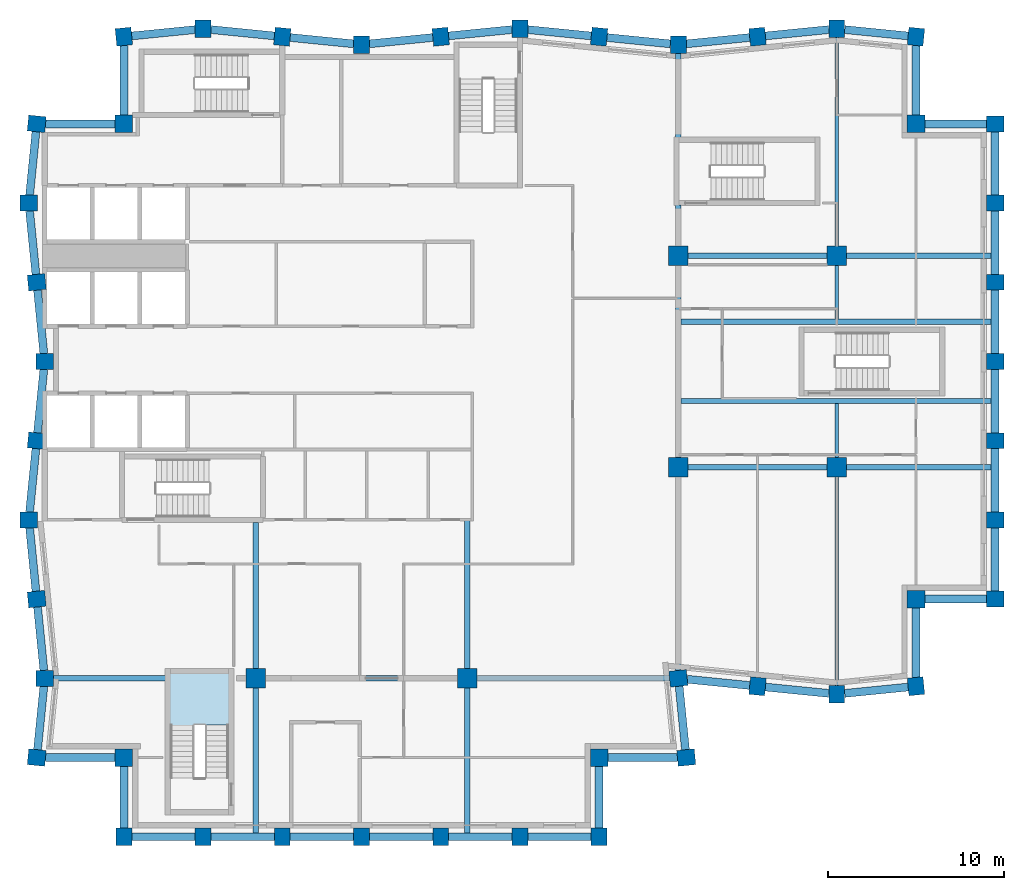
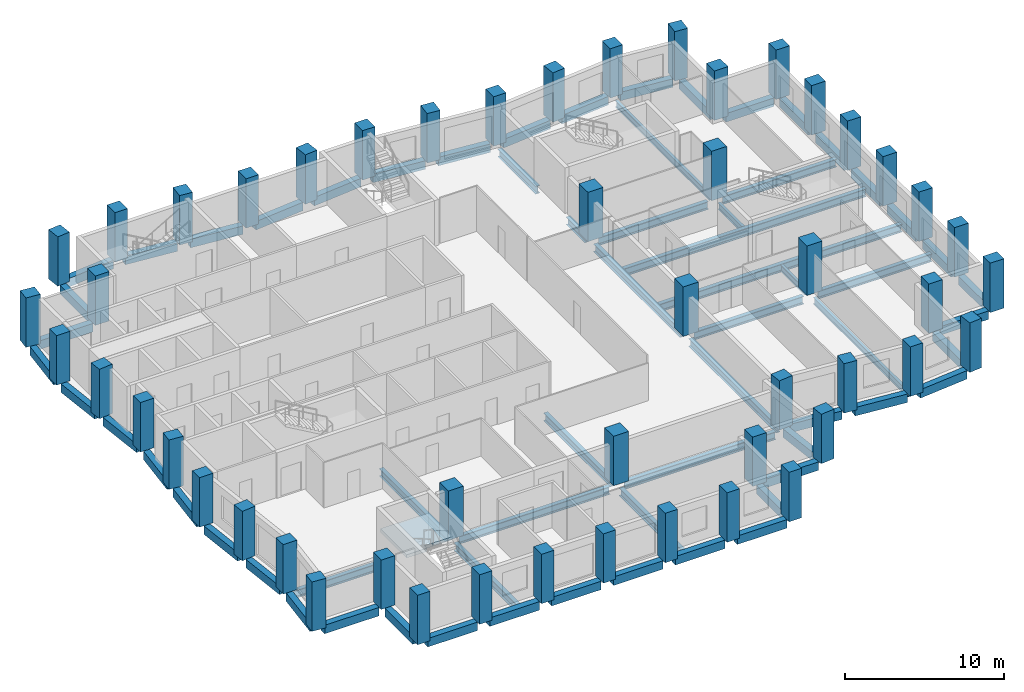
# One storey, part 1 of 8: 65 beams, 50 columns, 1 slab, 1 element without a shape of its own.
"""IFC4 building model written with IfcOpenShell, lengths in metres."""

from ifc_helpers import new_model, si_unit, direction, frame, origin, origin_2d, place, context, subcontext, project, spatial, polyline, rectangle, i_section, outline, extrude, material, layer, layer_set, material_profile, profile_set, type_object, element, aggregate, save


model = new_model("IFC4")

# Units and contexts
model_context = context("Model", 3, precision=1e-05, world=origin(), true_north=direction((0.0, 1.0)))
body_context = subcontext(model_context, "Body", "Model", "MODEL_VIEW")
ifc_project = project(units=[si_unit("LENGTHUNIT", "METRE"), si_unit("AREAUNIT", "SQUARE_METRE"), si_unit("VOLUMEUNIT", "CUBIC_METRE"), si_unit("PLANEANGLEUNIT", "RADIAN"), si_unit("MASSUNIT", "GRAM", prefix="KILO")], contexts=[model_context])

# Site, building, storey
site_placement = place(None, origin())
site = spatial("IfcSite", under=ifc_project, at=site_placement, CompositionType="ELEMENT")
building_placement = place(site_placement, origin())
building = spatial("IfcBuilding", under=site, at=building_placement, Name="Brondeck Convention Tower", CompositionType="ELEMENT")
storey_placement = place(building_placement, frame((0.0, 0.0, 225.39990234375)))
storey = spatial("IfcBuildingStorey", under=building, at=storey_placement, Name="L55", CompositionType="ELEMENT", Elevation=225.39990234375)

# Columns
ifc_material_1 = material(Name="Concrete C50/60", Category="concrete")
ifc_material_profile_1 = material_profile(ifc_material_1, rectangle(XDim=1.0, YDim=1.0, at=origin_2d()), Name="Corner column 1000x1000 Concrete C50/60")
ifc_profile_set_1 = profile_set([ifc_material_profile_1], Name="Concrete C50/60")
column_type_1 = type_object("IfcColumnType", Name="Corner column 1000x1000 Concrete C50/60", PredefinedType="COLUMN", material=ifc_profile_set_1)
for number, where, z_axis, x_axis, name in (
    (1, (4.5, 22.5, 0.0), (0.0, 0.0, 1.0), (1.0, 0.0, 0.0), "STR-COL-L55-NC-SWB18"),
    (2, (31.5, 22.5, 0.0), (0.0, 0.0, 1.0), (1.0, 0.0, 0.0), "STR-COL-L55-NC-SEB18"),
    (3, (49.5, 31.5, 0.0), (0.0, 0.0, 1.0), (1.0, 0.0, 0.0), "STR-COL-L55-NC-SEA54"),
    (4, (49.5, 58.5, 0.0), (0.0, 0.0, 1.0), (1.0, 0.0, 0.0), "STR-COL-L55-NC-NEA54"),
    (5, (4.5, 58.5, 0.0), (0.0, 0.0, 1.0), (1.0, 0.0, 0.0), "STR-COL-L55-NC-NW"),
):
    element("IfcColumn", number, at=place(storey_placement, frame(where, z_axis=z_axis, x_axis=x_axis)), inside=storey, type_object=column_type_1, Name=name, PredefinedType="COLUMN", context=body_context, shape_type="SweptSolid", body=[
        extrude(rectangle(XDim=1.0, YDim=1.0, at=origin_2d()), origin(), (0.0, 0.0, 1.0), 3.800048828125),
    ])
ifc_material_profile_2 = material_profile(ifc_material_1, rectangle(XDim=1.10009765625, YDim=1.10009765625, at=origin_2d()), Name="Interior column 1100x1100 Concrete C50/60")
ifc_profile_set_2 = profile_set([ifc_material_profile_2], Name="Concrete C50/60")
column_type_2 = type_object("IfcColumnType", Name="Interior column 1100x1100 Concrete C50/60", PredefinedType="COLUMN", material=ifc_profile_set_2)
for number, where, z_axis, x_axis, name in (
    (6, (12.0, 27.0, 0.0), (0.0, 0.0, 1.0), (1.0, 0.0, 0.0), "STR-COL-L55-IC-03"),
    (7, (24.0, 27.0, 0.0), (0.0, 0.0, 1.0), (1.0, 0.0, 0.0), "STR-COL-L55-IC-06"),
    (8, (36.0, 39.0, 0.0), (0.0, 0.0, 1.0), (1.0, 0.0, 0.0), "STR-COL-L55-IC-07"),
    (9, (36.0, 51.0, 0.0), (0.0, 0.0, 1.0), (1.0, 0.0, 0.0), "STR-COL-L55-IC-08"),
    (10, (45.0, 39.0, 0.0), (0.0, 0.0, 1.0), (1.0, 0.0, 0.0), "STR-COL-L55-IC-09"),
    (11, (45.0, 51.0, 0.0), (0.0, 0.0, 1.0), (1.0, 0.0, 0.0), "STR-COL-L55-IC-10"),
):
    element("IfcColumn", number, at=place(storey_placement, frame(where, z_axis=z_axis, x_axis=x_axis)), inside=storey, type_object=column_type_2, Name=name, PredefinedType="COLUMN", context=body_context, shape_type="SweptSolid", body=[
        extrude(rectangle(XDim=1.10009765625, YDim=1.10009765625, at=origin_2d()), origin(), (0.0, 0.0, 1.0), 3.800048828125),
    ])
ifc_material_profile_3 = material_profile(ifc_material_1, rectangle(XDim=0.89990234375, YDim=1.0, at=origin_2d()), Name="Perimeter pier 900x1000 Concrete C50/60")
ifc_profile_set_3 = profile_set([ifc_material_profile_3], Name="Concrete C50/60")
column_type_3 = type_object("IfcColumnType", Name="Perimeter pier 900x1000 Concrete C50/60", PredefinedType="COLUMN", material=ifc_profile_set_3)
for number, where, z_axis, x_axis, name in (
    (12, (4.5, 18.0, 0.0), (0.0, 0.0, 1.0), (1.0, 0.0, 0.0), "STR-COL-L55-PC-B-S18-01"),
    (13, (9.0, 18.0, 0.0), (0.0, 0.0, 1.0), (1.0, 0.0, 0.0), "STR-COL-L55-PC-B-S18-02"),
    (14, (13.5, 18.0, 0.0), (0.0, 0.0, 1.0), (1.0, 0.0, 0.0), "STR-COL-L55-PC-B-S18-03"),
    (15, (18.0, 18.0, 0.0), (0.0, 0.0, 1.0), (1.0, 0.0, 0.0), "STR-COL-L55-PC-B-S18-04"),
    (16, (22.5, 18.0, 0.0), (0.0, 0.0, 1.0), (1.0, 0.0, 0.0), "STR-COL-L55-PC-B-S18-05"),
    (17, (27.0, 18.0, 0.0), (0.0, 0.0, 1.0), (1.0, 0.0, 0.0), "STR-COL-L55-PC-B-S18-06"),
    (18, (31.5, 18.0, 0.0), (0.0, 0.0, 1.0), (1.0, 0.0, 0.0), "STR-COL-L55-PC-B-S18-07"),
    (19, (36.449951171875, 22.5, 0.0), (0.0, 0.0, 1.0), (-0.0995038382, 0.995037178292, 0.0), "STR-COL-L55-PC-B-E-01"),
    (20, (36.0, 27.0, 0.0), (0.0, 0.0, 1.0), (-0.0995038382, 0.995037178292, 0.0), "STR-COL-L55-PC-B-E-00"),
    (21, (40.5, 26.550048828125, 0.0), (0.0, 0.0, 1.0), (0.995037178292, -0.0995038382, 0.0), "STR-COL-L55-PC-A-S-01"),
    (22, (45.0, 26.10009765625, 0.0), (0.0, 0.0, 1.0), (1.0, 0.0, 0.0), "STR-COL-L55-PC-A-S-02"),
    (23, (49.5, 26.550048828125, 0.0), (0.0, 0.0, 1.0), (0.995037178292, 0.0995038382, 0.0), "STR-COL-L55-PC-A-S-03"),
    (24, (54.0, 31.5, 0.0), (0.0, 0.0, 1.0), (0.0, 1.0, 0.0), "STR-COL-L55-PC-A-E54-01"),
    (25, (54.0, 36.0, 0.0), (0.0, 0.0, 1.0), (0.0, 1.0, 0.0), "STR-COL-L55-PC-A-E54-02"),
    (26, (54.0, 40.5, 0.0), (0.0, 0.0, 1.0), (0.0, 1.0, 0.0), "STR-COL-L55-PC-A-E54-03"),
    (27, (54.0, 45.0, 0.0), (0.0, 0.0, 1.0), (0.0, 1.0, 0.0), "STR-COL-L55-PC-A-E54-04"),
    (28, (54.0, 49.5, 0.0), (0.0, 0.0, 1.0), (0.0, 1.0, 0.0), "STR-COL-L55-PC-A-E54-05"),
    (29, (54.0, 54.0, 0.0), (0.0, 0.0, 1.0), (0.0, 1.0, 0.0), "STR-COL-L55-PC-A-E54-06"),
    (30, (54.0, 58.5, 0.0), (0.0, 0.0, 1.0), (0.0, 1.0, 0.0), "STR-COL-L55-PC-A-E54-07"),
    (31, (49.5, 63.449951171875, 0.0), (0.0, 0.0, 1.0), (-0.995037178292, 0.0995038382, 0.0), "STR-COL-L55-PC-A-N-11"),
    (32, (45.0, 63.89990234375, 0.0), (0.0, 0.0, 1.0), (-1.0, 0.0, 0.0), "STR-COL-L55-PC-A-N-10"),
    (33, (40.5, 63.449951171875, 0.0), (0.0, 0.0, 1.0), (-0.995037178292, -0.0995038382, 0.0), "STR-COL-L55-PC-A-N-09"),
    (34, (36.0, 63.0, 0.0), (0.0, 0.0, 1.0), (-1.0, 0.0, 0.0), "STR-COL-L55-PC-A-N-08"),
    (35, (31.5, 63.449951171875, 0.0), (0.0, 0.0, 1.0), (-0.995037178292, 0.0995038382, 0.0), "STR-COL-L55-PC-A-N-07"),
    (36, (27.0, 63.89990234375, 0.0), (0.0, 0.0, 1.0), (-1.0, 0.0, 0.0), "STR-COL-L55-PC-A-N-06"),
    (37, (22.5, 63.449951171875, 0.0), (0.0, 0.0, 1.0), (-0.995037178292, -0.0995038382, 0.0), "STR-COL-L55-PC-A-N-05"),
    (38, (18.0, 63.0, 0.0), (0.0, 0.0, 1.0), (-1.0, 0.0, 0.0), "STR-COL-L55-PC-A-N-04"),
    (39, (13.5, 63.449951171875, 0.0), (0.0, 0.0, 1.0), (-0.995037178292, 0.0995038382, 0.0), "STR-COL-L55-PC-A-N-03"),
    (40, (9.0, 63.89990234375, 0.0), (0.0, 0.0, 1.0), (-1.0, 0.0, 0.0), "STR-COL-L55-PC-A-N-02"),
    (41, (4.5, 63.449951171875, 0.0), (0.0, 0.0, 1.0), (-0.995037178292, -0.0995038382, 0.0), "STR-COL-L55-PC-A-N-01"),
    (42, (-0.449951171875, 58.5, 0.0), (0.0, 0.0, 1.0), (-0.0995038382, -0.995037178292, 0.0), "STR-COL-L55-PC-B-W-01"),
    (43, (-0.89990234375, 54.0, 0.0), (0.0, 0.0, 1.0), (0.0, -1.0, 0.0), "STR-COL-L55-PC-B-W-02"),
    (44, (-0.449951171875, 49.5, 0.0), (0.0, 0.0, 1.0), (0.0995038382, -0.995037178292, 0.0), "STR-COL-L55-PC-B-W-03"),
    (45, (0.0, 45.0, 0.0), (0.0, 0.0, 1.0), (0.0, -1.0, 0.0), "STR-COL-L55-PC-B-W-04"),
    (46, (-0.449951171875, 40.5, 0.0), (0.0, 0.0, 1.0), (-0.0995038382, -0.995037178292, 0.0), "STR-COL-L55-PC-B-W-05"),
    (47, (-0.89990234375, 36.0, 0.0), (0.0, 0.0, 1.0), (0.0, -1.0, 0.0), "STR-COL-L55-PC-B-W-06"),
    (48, (-0.449951171875, 31.5, 0.0), (0.0, 0.0, 1.0), (0.0995038382, -0.995037178292, 0.0), "STR-COL-L55-PC-B-W-07"),
    (49, (0.0, 27.0, 0.0), (0.0, 0.0, 1.0), (0.0, -1.0, 0.0), "STR-COL-L55-PC-B-W-08"),
    (50, (-0.449951171875, 22.5, 0.0), (0.0, 0.0, 1.0), (-0.0995038382, -0.995037178292, 0.0), "STR-COL-L55-PC-B-W-09"),
):
    element("IfcColumn", number, at=place(storey_placement, frame(where, z_axis=z_axis, x_axis=x_axis)), inside=storey, type_object=column_type_3, Name=name, PredefinedType="COLUMN", context=body_context, shape_type="SweptSolid", body=[
        extrude(rectangle(XDim=0.89990234375, YDim=1.0, at=origin_2d()), origin(), (0.0, 0.0, 1.0), 3.800048828125),
    ])

# Beams
ifc_material_2 = material(Name="Steel S355", Category="steel")
ifc_material_profile_4 = material_profile(ifc_material_2, i_section(OverallWidth=0.199951171875, OverallDepth=0.5, WebThickness=0.01025390625, FlangeThickness=0.01611328125, FilletRadius=0.02099609375, at=origin_2d()), Name="IPE 500")
ifc_profile_set_4 = profile_set([ifc_material_profile_4], Name="Steel S355")
beam_type_1 = type_object("IfcBeamType", Name="Floor beam IPE 500", PredefinedType="BEAM", material=ifc_profile_set_4)
for number, where, z_axis, x_axis, name in (
    (51, (45.0, 26.60009765625, -0.5498046875), (0.0, 1.0, 0.0), (-1.0, 0.0, 0.0), "STR-FB-L55-001"),
    (52, (45.0, 51.550048828125, -0.5498046875), (0.0, 1.0, 0.0), (-1.0, 0.0, 0.0), "STR-FB-L55-002"),
):
    element("IfcBeam", number, at=place(storey_placement, frame(where, z_axis=z_axis, x_axis=x_axis)), inside=storey, type_object=beam_type_1, Name=name, PredefinedType="BEAM", context=body_context, shape_type="SweptSolid", body=[
        extrude(i_section(OverallWidth=0.199951171875, OverallDepth=0.5, WebThickness=0.01025390625, FlangeThickness=0.01611328125, FilletRadius=0.02099609375, at=origin_2d()), origin(), (0.0, 0.0, 1.0), 11.849853515625),
    ])
for number, where, z_axis, x_axis, name in (
    (53, (45.0, 39.550048828125, -0.5498046875), (0.0, 1.0, 0.0), (-1.0, 0.0, 0.0), "STR-FB-L55-003"),
    (54, (45.0, 47.39990234375, -0.5498046875), (0.0, 1.0, 0.0), (-1.0, 0.0, 0.0), "STR-FB-L55-004"),
):
    element("IfcBeam", number, at=place(storey_placement, frame(where, z_axis=z_axis, x_axis=x_axis)), inside=storey, type_object=beam_type_1, Name=name, PredefinedType="BEAM", context=body_context, shape_type="SweptSolid", body=[
        extrude(i_section(OverallWidth=0.199951171875, OverallDepth=0.5, WebThickness=0.01025390625, FlangeThickness=0.01611328125, FilletRadius=0.02099609375, at=origin_2d()), origin(), (0.0, 0.0, 1.0), 3.050048828125),
    ])
ifc_material_profile_5 = material_profile(ifc_material_2, i_section(OverallWidth=0.300048828125, OverallDepth=0.60009765625, WebThickness=0.015380859375, FlangeThickness=0.030029296875, FilletRadius=0.027099609375, at=origin_2d()), Name="HEB 600")
ifc_profile_set_5 = profile_set([ifc_material_profile_5], Name="Steel S355")
beam_type_2 = type_object("IfcBeamType", Name="Girder HEB 600", PredefinedType="BEAM", material=ifc_profile_set_5)
beam_1_placement = place(storey_placement, frame((36.550048828125, 39.0, -0.599853515625), z_axis=(1.0, 0.0, 0.0), x_axis=(0.0, 1.0, 0.0)))
element("IfcBeam", 55, at=beam_1_placement, inside=storey, type_object=beam_type_2, Name="STR-GR-L55-001", PredefinedType="BEAM", context=body_context, shape_type="SweptSolid", body=[
    extrude(i_section(OverallWidth=0.300048828125, OverallDepth=0.60009765625, WebThickness=0.015380859375, FlangeThickness=0.030029296875, FilletRadius=0.027099609375, at=origin_2d()), origin(), (0.0, 0.0, 1.0), 7.89990234375),
])
beam_2_placement = place(storey_placement, frame((45.550048828125, 39.0, -0.599853515625), z_axis=(1.0, 0.0, 0.0), x_axis=(0.0, 1.0, 0.0)))
element("IfcBeam", 56, at=beam_2_placement, inside=storey, type_object=beam_type_2, Name="STR-GR-L55-002", PredefinedType="BEAM", context=body_context, shape_type="SweptSolid", body=[
    extrude(i_section(OverallWidth=0.300048828125, OverallDepth=0.60009765625, WebThickness=0.015380859375, FlangeThickness=0.030029296875, FilletRadius=0.027099609375, at=origin_2d()), origin(), (0.0, 0.0, 1.0), 8.224853515625),
])
beam_3_placement = place(storey_placement, frame((36.550048828125, 51.0, -0.599853515625), z_axis=(1.0, 0.0, 0.0), x_axis=(0.0, 1.0, 0.0)))
element("IfcBeam", 57, at=beam_3_placement, inside=storey, type_object=beam_type_2, Name="STR-GR-L55-003", PredefinedType="BEAM", context=body_context, shape_type="SweptSolid", body=[
    extrude(i_section(OverallWidth=0.300048828125, OverallDepth=0.60009765625, WebThickness=0.015380859375, FlangeThickness=0.030029296875, FilletRadius=0.027099609375, at=origin_2d()), origin(), (0.0, 0.0, 1.0), 7.89990234375),
])
beam_4_placement = place(storey_placement, frame((45.550048828125, 51.0, -0.599853515625), z_axis=(1.0, 0.0, 0.0), x_axis=(0.0, 1.0, 0.0)))
element("IfcBeam", 58, at=beam_4_placement, inside=storey, type_object=beam_type_2, Name="STR-GR-L55-004", PredefinedType="BEAM", context=body_context, shape_type="SweptSolid", body=[
    extrude(i_section(OverallWidth=0.300048828125, OverallDepth=0.60009765625, WebThickness=0.015380859375, FlangeThickness=0.030029296875, FilletRadius=0.027099609375, at=origin_2d()), origin(), (0.0, 0.0, 1.0), 8.224853515625),
])
beam_5_placement = place(storey_placement, frame((36.0, 27.4521484375, -0.599853515625), z_axis=(0.0, 1.0, 0.0), x_axis=(-1.0, 0.0, 0.0)))
element("IfcBeam", 59, at=beam_5_placement, inside=storey, type_object=beam_type_2, Name="STR-GR-L55-005", PredefinedType="BEAM", context=body_context, shape_type="SweptSolid", body=[
    extrude(i_section(OverallWidth=0.300048828125, OverallDepth=0.60009765625, WebThickness=0.015380859375, FlangeThickness=0.030029296875, FilletRadius=0.027099609375, at=origin_2d()), origin(), (0.0, 0.0, 1.0), 10.997802734375),
])
beam_6_placement = place(storey_placement, frame((36.0, 39.550048828125, -0.599853515625), z_axis=(0.0, 1.0, 0.0), x_axis=(-1.0, 0.0, 0.0)))
element("IfcBeam", 60, at=beam_6_placement, inside=storey, type_object=beam_type_2, Name="STR-GR-L55-006", PredefinedType="BEAM", context=body_context, shape_type="SweptSolid", body=[
    extrude(i_section(OverallWidth=0.300048828125, OverallDepth=0.60009765625, WebThickness=0.015380859375, FlangeThickness=0.030029296875, FilletRadius=0.027099609375, at=origin_2d()), origin(), (0.0, 0.0, 1.0), 10.89990234375),
])
beam_7_placement = place(storey_placement, frame((36.0, 51.550048828125, -0.599853515625), z_axis=(0.0, 1.0, 0.0), x_axis=(-1.0, 0.0, 0.0)))
element("IfcBeam", 61, at=beam_7_placement, inside=storey, type_object=beam_type_2, Name="STR-GR-L55-007", PredefinedType="BEAM", context=body_context, shape_type="SweptSolid", body=[
    extrude(i_section(OverallWidth=0.300048828125, OverallDepth=0.60009765625, WebThickness=0.015380859375, FlangeThickness=0.030029296875, FilletRadius=0.027099609375, at=origin_2d()), origin(), (0.0, 0.0, 1.0), 2.329833984375),
])
beam_8_placement = place(storey_placement, frame((36.0, 57.719970703125, -0.599853515625), z_axis=(0.0, 1.0, 0.0), x_axis=(-1.0, 0.0, 0.0)))
element("IfcBeam", 62, at=beam_8_placement, inside=storey, type_object=beam_type_2, Name="STR-GR-L55-008", PredefinedType="BEAM", context=body_context, shape_type="SweptSolid", body=[
    extrude(i_section(OverallWidth=0.300048828125, OverallDepth=0.60009765625, WebThickness=0.015380859375, FlangeThickness=0.030029296875, FilletRadius=0.027099609375, at=origin_2d()), origin(), (0.0, 0.0, 1.0), 4.780029296875),
])
beam_9_placement = place(storey_placement, frame((12.0, 35.85009765625, -0.599853515625), z_axis=(0.0, -1.0, 0.0), x_axis=(1.0, 0.0, 0.0)))
element("IfcBeam", 63, at=beam_9_placement, inside=storey, type_object=beam_type_2, Name="STR-GR-L55-009", PredefinedType="BEAM", context=body_context, shape_type="SweptSolid", body=[
    extrude(i_section(OverallWidth=0.300048828125, OverallDepth=0.60009765625, WebThickness=0.015380859375, FlangeThickness=0.030029296875, FilletRadius=0.027099609375, at=origin_2d()), origin(), (0.0, 0.0, 1.0), 8.300048828125),
])
beam_10_placement = place(storey_placement, frame((12.0, 26.449951171875, -0.599853515625), z_axis=(0.0, -1.0, 0.0), x_axis=(1.0, 0.0, 0.0)))
element("IfcBeam", 64, at=beam_10_placement, inside=storey, type_object=beam_type_2, Name="STR-GR-L55-010", PredefinedType="BEAM", context=body_context, shape_type="SweptSolid", body=[
    extrude(i_section(OverallWidth=0.300048828125, OverallDepth=0.60009765625, WebThickness=0.015380859375, FlangeThickness=0.030029296875, FilletRadius=0.027099609375, at=origin_2d()), origin(), (0.0, 0.0, 1.0), 8.224853515625),
])
beam_11_placement = place(storey_placement, frame((24.0, 35.955078125, -0.599853515625), z_axis=(0.0, -1.0, 0.0), x_axis=(1.0, 0.0, 0.0)))
element("IfcBeam", 65, at=beam_11_placement, inside=storey, type_object=beam_type_2, Name="STR-GR-L55-011", PredefinedType="BEAM", context=body_context, shape_type="SweptSolid", body=[
    extrude(i_section(OverallWidth=0.300048828125, OverallDepth=0.60009765625, WebThickness=0.015380859375, FlangeThickness=0.030029296875, FilletRadius=0.027099609375, at=origin_2d()), origin(), (0.0, 0.0, 1.0), 8.405029296875),
])
beam_12_placement = place(storey_placement, frame((24.0, 26.449951171875, -0.599853515625), z_axis=(0.0, -1.0, 0.0), x_axis=(1.0, 0.0, 0.0)))
element("IfcBeam", 66, at=beam_12_placement, inside=storey, type_object=beam_type_2, Name="STR-GR-L55-012", PredefinedType="BEAM", context=body_context, shape_type="SweptSolid", body=[
    extrude(i_section(OverallWidth=0.300048828125, OverallDepth=0.60009765625, WebThickness=0.015380859375, FlangeThickness=0.030029296875, FilletRadius=0.027099609375, at=origin_2d()), origin(), (0.0, 0.0, 1.0), 8.224853515625),
])
beam_13_placement = place(storey_placement, frame((0.5, 27.0, -0.599853515625), z_axis=(1.0, 0.0, 0.0), x_axis=(0.0, 1.0, 0.0)))
element("IfcBeam", 67, at=beam_13_placement, inside=storey, type_object=beam_type_2, Name="STR-GR-L55-013", PredefinedType="BEAM", context=body_context, shape_type="SweptSolid", body=[
    extrude(i_section(OverallWidth=0.300048828125, OverallDepth=0.60009765625, WebThickness=0.015380859375, FlangeThickness=0.030029296875, FilletRadius=0.027099609375, at=origin_2d()), origin(), (0.0, 0.0, 1.0), 6.3798828125),
])
beam_14_placement = place(storey_placement, frame((12.550048828125, 27.0, -0.599853515625), z_axis=(1.0, 0.0, 0.0), x_axis=(0.0, 1.0, 0.0)))
element("IfcBeam", 68, at=beam_14_placement, inside=storey, type_object=beam_type_2, Name="STR-GR-L55-014", PredefinedType="BEAM", context=body_context, shape_type="SweptSolid", body=[
    extrude(i_section(OverallWidth=0.300048828125, OverallDepth=0.60009765625, WebThickness=0.015380859375, FlangeThickness=0.030029296875, FilletRadius=0.027099609375, at=origin_2d()), origin(), (0.0, 0.0, 1.0), 10.89990234375),
])
beam_15_placement = place(storey_placement, frame((24.550048828125, 27.0, -0.599853515625), z_axis=(1.0, 0.0, 0.0), x_axis=(0.0, 1.0, 0.0)))
element("IfcBeam", 69, at=beam_15_placement, inside=storey, type_object=beam_type_2, Name="STR-GR-L55-015", PredefinedType="BEAM", context=body_context, shape_type="SweptSolid", body=[
    extrude(i_section(OverallWidth=0.300048828125, OverallDepth=0.60009765625, WebThickness=0.015380859375, FlangeThickness=0.030029296875, FilletRadius=0.027099609375, at=origin_2d()), origin(), (0.0, 0.0, 1.0), 10.947509765625),
])
for number, where, z_axis, x_axis, name in (
    (70, (36.14990234375, 42.75, -0.599853515625), (1.0, 0.0, 0.0), (0.0, 1.0, 0.0), "STR-GR-L55-016"),
    (71, (36.14990234375, 47.25, -0.599853515625), (1.0, 0.0, 0.0), (0.0, 1.0, 0.0), "STR-GR-L55-017"),
):
    element("IfcBeam", number, at=place(storey_placement, frame(where, z_axis=z_axis, x_axis=x_axis)), inside=storey, type_object=beam_type_2, Name=name, PredefinedType="BEAM", context=body_context, shape_type="SweptSolid", body=[
        extrude(i_section(OverallWidth=0.300048828125, OverallDepth=0.60009765625, WebThickness=0.015380859375, FlangeThickness=0.030029296875, FilletRadius=0.027099609375, at=origin_2d()), origin(), (0.0, 0.0, 1.0), 17.625),
    ])
ifc_material_profile_6 = material_profile(ifc_material_1, rectangle(XDim=0.449951171875, YDim=0.64990234375, at=origin_2d()), Name="Precast spandrel 450x650 Concrete C50/60")
ifc_profile_set_6 = profile_set([ifc_material_profile_6], Name="Concrete C50/60")
beam_type_3 = type_object("IfcBeamType", Name="Precast spandrel 450x650 Concrete C50/60", PredefinedType="SPANDREL", material=ifc_profile_set_6)
for number, where, z_axis, x_axis, name in (
    (72, (4.949951171875, 18.0, -0.324951171875), (1.0, 0.0, 0.0), (0.0, 1.0, 0.0), "STR-SP-L55-001"),
    (73, (9.449951171875, 18.0, -0.324951171875), (1.0, 0.0, 0.0), (0.0, 1.0, 0.0), "STR-SP-L55-002"),
    (74, (13.949951171875, 18.0, -0.324951171875), (1.0, 0.0, 0.0), (0.0, 1.0, 0.0), "STR-SP-L55-003"),
    (75, (18.449951171875, 18.0, -0.324951171875), (1.0, 0.0, 0.0), (0.0, 1.0, 0.0), "STR-SP-L55-004"),
    (76, (22.949951171875, 18.0, -0.324951171875), (1.0, 0.0, 0.0), (0.0, 1.0, 0.0), "STR-SP-L55-005"),
    (77, (27.449951171875, 18.0, -0.324951171875), (1.0, 0.0, 0.0), (0.0, 1.0, 0.0), "STR-SP-L55-006"),
):
    element("IfcBeam", number, at=place(storey_placement, frame(where, z_axis=z_axis, x_axis=x_axis)), inside=storey, type_object=beam_type_3, Name=name, PredefinedType="SPANDREL", context=body_context, shape_type="SweptSolid", body=[
        extrude(rectangle(XDim=0.449951171875, YDim=0.64990234375, at=origin_2d()), origin(), (0.0, 0.0, 1.0), 3.60009765625),
    ])
beam_16_placement = place(storey_placement, frame((31.5, 18.5, -0.324951171875), z_axis=(0.0, 1.0, 0.0), x_axis=(-1.0, 0.0, 0.0)))
element("IfcBeam", 78, at=beam_16_placement, inside=storey, type_object=beam_type_3, Name="STR-SP-L55-007", PredefinedType="SPANDREL", context=body_context, shape_type="SweptSolid", body=[
    extrude(rectangle(XDim=0.449951171875, YDim=0.64990234375, at=origin_2d()), origin(), (0.0, 0.0, 1.0), 3.5),
])
beam_17_placement = place(storey_placement, frame((32.0, 22.5, -0.324951171875), z_axis=(1.0, 0.0, 0.0), x_axis=(0.0, 1.0, 0.0)))
element("IfcBeam", 79, at=beam_17_placement, inside=storey, type_object=beam_type_3, Name="STR-SP-L55-008", PredefinedType="SPANDREL", context=body_context, shape_type="SweptSolid", body=[
    extrude(rectangle(XDim=0.449951171875, YDim=0.64990234375, at=origin_2d()), origin(), (0.0, 0.0, 1.0), 3.947509765625),
])
beam_18_placement = place(storey_placement, frame((36.4052734375, 22.94775390625, -0.324951171875), z_axis=(-0.099543756114, 0.995033185687, 0.0), x_axis=(-0.995033185687, -0.099543756114, 0.0)))
element("IfcBeam", 80, at=beam_18_placement, inside=storey, type_object=beam_type_3, Name="STR-SP-L55-009", PredefinedType="SPANDREL", context=body_context, shape_type="SweptSolid", body=[
    extrude(rectangle(XDim=0.449951171875, YDim=0.64990234375, at=origin_2d()), origin(), (0.0, 0.0, 1.0), 3.62255859375),
])
beam_19_placement = place(storey_placement, frame((36.507568359375, 26.94921875, -0.324951171875), z_axis=(0.995036511638, -0.099510504504, 0.0), x_axis=(0.099510504504, 0.995036511638, 0.0)))
element("IfcBeam", 81, at=beam_19_placement, inside=storey, type_object=beam_type_3, Name="STR-SP-L55-010", PredefinedType="SPANDREL", context=body_context, shape_type="SweptSolid", body=[
    extrude(rectangle(XDim=0.449951171875, YDim=0.64990234375, at=origin_2d()), origin(), (0.0, 0.0, 1.0), 3.562255859375),
])
for number, where, z_axis, x_axis, name in (
    (82, (40.94775390625, 26.505126953125, -0.324951171875), (0.995040528141, -0.099470334057, 0.0), (0.099470334057, 0.995040528141, 0.0), "STR-SP-L55-011"),
    (83, (45.449951171875, 26.14501953125, -0.324951171875), (0.995040528141, 0.099470334057, 0.0), (-0.099470334057, 0.995040528141, 0.0), "STR-SP-L55-012"),
):
    element("IfcBeam", number, at=place(storey_placement, frame(where, z_axis=z_axis, x_axis=x_axis)), inside=storey, type_object=beam_type_3, Name=name, PredefinedType="SPANDREL", context=body_context, shape_type="SweptSolid", body=[
        extrude(rectangle(XDim=0.449951171875, YDim=0.64990234375, at=origin_2d()), origin(), (0.0, 0.0, 1.0), 3.620361328125),
    ])
beam_20_placement = place(storey_placement, frame((49.5, 27.052490234375, -0.324951171875), z_axis=(0.0, 1.0, 0.0), x_axis=(-1.0, 0.0, 0.0)))
element("IfcBeam", 84, at=beam_20_placement, inside=storey, type_object=beam_type_3, Name="STR-SP-L55-013", PredefinedType="SPANDREL", context=body_context, shape_type="SweptSolid", body=[
    extrude(rectangle(XDim=0.449951171875, YDim=0.64990234375, at=origin_2d()), origin(), (0.0, 0.0, 1.0), 3.947509765625),
])
beam_21_placement = place(storey_placement, frame((50.0, 31.5, -0.324951171875), z_axis=(1.0, 0.0, 0.0), x_axis=(0.0, 1.0, 0.0)))
element("IfcBeam", 85, at=beam_21_placement, inside=storey, type_object=beam_type_3, Name="STR-SP-L55-014", PredefinedType="SPANDREL", context=body_context, shape_type="SweptSolid", body=[
    extrude(rectangle(XDim=0.449951171875, YDim=0.64990234375, at=origin_2d()), origin(), (0.0, 0.0, 1.0), 3.5),
])
for number, where, z_axis, x_axis, name in (
    (86, (54.0, 31.949951171875, -0.324951171875), (0.0, 1.0, 0.0), (-1.0, 0.0, 0.0), "STR-SP-L55-015"),
    (87, (54.0, 36.449951171875, -0.324951171875), (0.0, 1.0, 0.0), (-1.0, 0.0, 0.0), "STR-SP-L55-016"),
    (88, (54.0, 40.949951171875, -0.324951171875), (0.0, 1.0, 0.0), (-1.0, 0.0, 0.0), "STR-SP-L55-017"),
    (89, (54.0, 45.449951171875, -0.324951171875), (0.0, 1.0, 0.0), (-1.0, 0.0, 0.0), "STR-SP-L55-018"),
    (90, (54.0, 49.949951171875, -0.324951171875), (0.0, 1.0, 0.0), (-1.0, 0.0, 0.0), "STR-SP-L55-019"),
    (91, (54.0, 54.449951171875, -0.324951171875), (0.0, 1.0, 0.0), (-1.0, 0.0, 0.0), "STR-SP-L55-020"),
):
    element("IfcBeam", number, at=place(storey_placement, frame(where, z_axis=z_axis, x_axis=x_axis)), inside=storey, type_object=beam_type_3, Name=name, PredefinedType="SPANDREL", context=body_context, shape_type="SweptSolid", body=[
        extrude(rectangle(XDim=0.449951171875, YDim=0.64990234375, at=origin_2d()), origin(), (0.0, 0.0, 1.0), 3.60009765625),
    ])
beam_22_placement = place(storey_placement, frame((53.5, 58.5, -0.324951171875), z_axis=(-1.0, 0.0, 0.0), x_axis=(0.0, -1.0, 0.0)))
element("IfcBeam", 92, at=beam_22_placement, inside=storey, type_object=beam_type_3, Name="STR-SP-L55-021", PredefinedType="SPANDREL", context=body_context, shape_type="SweptSolid", body=[
    extrude(rectangle(XDim=0.449951171875, YDim=0.64990234375, at=origin_2d()), origin(), (0.0, 0.0, 1.0), 3.5),
])
beam_23_placement = place(storey_placement, frame((49.5, 59.0, -0.324951171875), z_axis=(0.0, 1.0, 0.0), x_axis=(-1.0, 0.0, 0.0)))
element("IfcBeam", 93, at=beam_23_placement, inside=storey, type_object=beam_type_3, Name="STR-SP-L55-022", PredefinedType="SPANDREL", context=body_context, shape_type="SweptSolid", body=[
    extrude(rectangle(XDim=0.449951171875, YDim=0.64990234375, at=origin_2d()), origin(), (0.0, 0.0, 1.0), 3.947509765625),
])
for number, where, z_axis, x_axis, name in (
    (94, (49.05224609375, 63.494873046875, -0.324951171875), (-0.995040528141, 0.099470334057, 0.0), (-0.099470334057, -0.995040528141, 0.0), "STR-SP-L55-023"),
    (95, (44.550048828125, 63.85498046875, -0.324951171875), (-0.995040528141, -0.099470334057, 0.0), (0.099470334057, -0.995040528141, 0.0), "STR-SP-L55-024"),
    (96, (40.05224609375, 63.4052734375, -0.324951171875), (-0.995033851182, -0.099537103649, 0.0), (0.099537103649, -0.995033851182, 0.0), "STR-SP-L55-025"),
    (97, (35.550048828125, 63.044921875, -0.324951171875), (-0.995033851182, 0.099537103649, 0.0), (-0.099537103649, -0.995033851182, 0.0), "STR-SP-L55-026"),
    (98, (31.05224609375, 63.494873046875, -0.324951171875), (-0.995040528141, 0.099470334057, 0.0), (-0.099470334057, -0.995040528141, 0.0), "STR-SP-L55-027"),
    (99, (26.550048828125, 63.85498046875, -0.324951171875), (-0.995040528141, -0.099470334057, 0.0), (0.099470334057, -0.995040528141, 0.0), "STR-SP-L55-028"),
    (100, (22.05224609375, 63.4052734375, -0.324951171875), (-0.995033851182, -0.099537103649, 0.0), (0.099537103649, -0.995033851182, 0.0), "STR-SP-L55-029"),
    (101, (17.550048828125, 63.044921875, -0.324951171875), (-0.995033851182, 0.099537103649, 0.0), (-0.099537103649, -0.995033851182, 0.0), "STR-SP-L55-030"),
    (102, (13.05224609375, 63.494873046875, -0.324951171875), (-0.995040528141, 0.099470334057, 0.0), (-0.099470334057, -0.995040528141, 0.0), "STR-SP-L55-031"),
    (103, (8.550048828125, 63.85498046875, -0.324951171875), (-0.995040528141, -0.099470334057, 0.0), (0.099470334057, -0.995040528141, 0.0), "STR-SP-L55-032"),
):
    element("IfcBeam", number, at=place(storey_placement, frame(where, z_axis=z_axis, x_axis=x_axis)), inside=storey, type_object=beam_type_3, Name=name, PredefinedType="SPANDREL", context=body_context, shape_type="SweptSolid", body=[
        extrude(rectangle(XDim=0.449951171875, YDim=0.64990234375, at=origin_2d()), origin(), (0.0, 0.0, 1.0), 3.620361328125),
    ])
for number, where, z_axis, x_axis, name in (
    (104, (4.5, 62.947509765625, -0.324951171875), (0.0, -1.0, 0.0), (1.0, 0.0, 0.0), "STR-SP-L55-033"),
    (105, (4.0, 58.5, -0.324951171875), (-1.0, 0.0, 0.0), (0.0, -1.0, 0.0), "STR-SP-L55-034"),
):
    element("IfcBeam", number, at=place(storey_placement, frame(where, z_axis=z_axis, x_axis=x_axis)), inside=storey, type_object=beam_type_3, Name=name, PredefinedType="SPANDREL", context=body_context, shape_type="SweptSolid", body=[
        extrude(rectangle(XDim=0.449951171875, YDim=0.64990234375, at=origin_2d()), origin(), (0.0, 0.0, 1.0), 3.947509765625),
    ])
for number, where, z_axis, x_axis, name in (
    (106, (-0.494873046875, 58.05224609375, -0.324951171875), (-0.099470334057, -0.995040528141, 0.0), (0.995040528141, -0.099470334057, 0.0), "STR-SP-L55-035"),
    (107, (-0.85498046875, 53.550048828125, -0.324951171875), (0.099470334057, -0.995040528141, 0.0), (0.995040528141, 0.099470334057, 0.0), "STR-SP-L55-036"),
    (108, (-0.4052734375, 49.05224609375, -0.324951171875), (0.099537103649, -0.995033851182, 0.0), (0.995033851182, 0.099537103649, 0.0), "STR-SP-L55-037"),
    (109, (-0.044921875, 44.550048828125, -0.324951171875), (-0.099537103649, -0.995033851182, 0.0), (0.995033851182, -0.099537103649, 0.0), "STR-SP-L55-038"),
    (110, (-0.494873046875, 40.05224609375, -0.324951171875), (-0.099470334057, -0.995040528141, 0.0), (0.995040528141, -0.099470334057, 0.0), "STR-SP-L55-039"),
    (111, (-0.85498046875, 35.550048828125, -0.324951171875), (0.099470334057, -0.995040528141, 0.0), (0.995040528141, 0.099470334057, 0.0), "STR-SP-L55-040"),
    (112, (-0.4052734375, 31.05224609375, -0.324951171875), (0.099537103649, -0.995033851182, 0.0), (0.995033851182, 0.099537103649, 0.0), "STR-SP-L55-041"),
    (113, (-0.044921875, 26.550048828125, -0.324951171875), (-0.099537103649, -0.995033851182, 0.0), (0.995033851182, -0.099537103649, 0.0), "STR-SP-L55-042"),
):
    element("IfcBeam", number, at=place(storey_placement, frame(where, z_axis=z_axis, x_axis=x_axis)), inside=storey, type_object=beam_type_3, Name=name, PredefinedType="SPANDREL", context=body_context, shape_type="SweptSolid", body=[
        extrude(rectangle(XDim=0.449951171875, YDim=0.64990234375, at=origin_2d()), origin(), (0.0, 0.0, 1.0), 3.620361328125),
    ])
beam_24_placement = place(storey_placement, frame((0.052490234375, 22.5, -0.324951171875), z_axis=(1.0, 0.0, 0.0), x_axis=(0.0, 1.0, 0.0)))
element("IfcBeam", 114, at=beam_24_placement, inside=storey, type_object=beam_type_3, Name="STR-SP-L55-043", PredefinedType="SPANDREL", context=body_context, shape_type="SweptSolid", body=[
    extrude(rectangle(XDim=0.449951171875, YDim=0.64990234375, at=origin_2d()), origin(), (0.0, 0.0, 1.0), 3.947509765625),
])
beam_25_placement = place(storey_placement, frame((4.5, 22.0, -0.324951171875), z_axis=(0.0, -1.0, 0.0), x_axis=(1.0, 0.0, 0.0)))
element("IfcBeam", 115, at=beam_25_placement, inside=storey, type_object=beam_type_3, Name="STR-SP-L55-044", PredefinedType="SPANDREL", context=body_context, shape_type="SweptSolid", body=[
    extrude(rectangle(XDim=0.449951171875, YDim=0.64990234375, at=origin_2d()), origin(), (0.0, 0.0, 1.0), 3.5),
])

# Stair, slab
ifc_material_3 = material(Name="Precast concrete C50/60", Category="concrete")
stair_type = type_object("IfcStairType", Name="Core stair 22 risers 172.73 mm riser 300 mm going 1350 wide", PredefinedType="HALF_TURN_STAIR", material=ifc_material_3)
stair_placement = place(storey_placement, origin())
stair = element("IfcStair", 116, at=stair_placement, inside=storey, type_object=stair_type, Name="ST-BE L55 stair", PredefinedType="HALF_TURN_STAIR")
ifc_layer = layer(ifc_material_3, 0.25)
ifc_layer_set = layer_set([ifc_layer], Name="Core stair landing 250 Precast concrete C50/60")
slab_type = type_object("IfcSlabType", Name="Core stair landing 250 Precast concrete C50/60", PredefinedType="LANDING", material=ifc_layer_set)
slab_placement = place(storey_placement, frame((0.0, 0.0, 1.650146484375)))
slab = element("IfcSlab", 117, at=slab_placement, type_object=slab_type, Name="ST-BE landing 1", PredefinedType="LANDING", context=body_context, shape_type="SweptSolid", body=[
    extrude(outline(polyline([(7.030029296875, 24.050048828125), (7.030029296875, 27.3701171875), (10.570068359375, 27.3701171875), (10.570068359375, 24.347900390625), (9.10009765625, 24.347900390625), (9.10009765625, 24.35009765625), (8.5, 24.35009765625), (8.5, 24.050048828125), (7.030029296875, 24.050048828125)])), origin(), (0.0, 0.0, 1.0), 0.25),
])
aggregate(stair, [slab])

save(model, "model.ifc")
